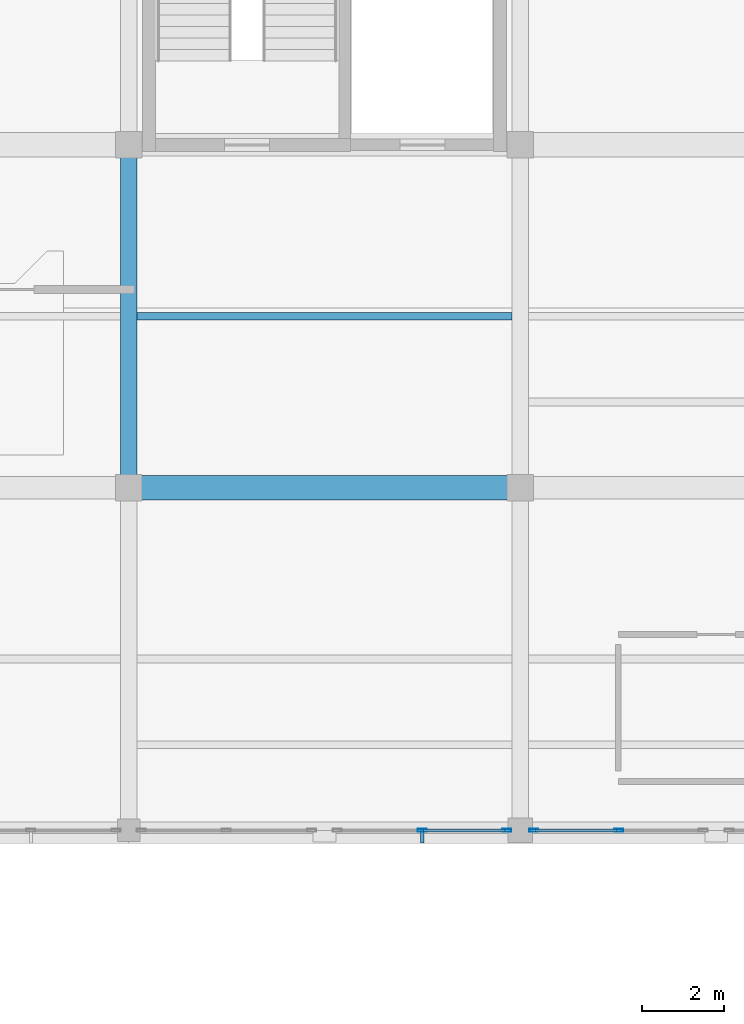
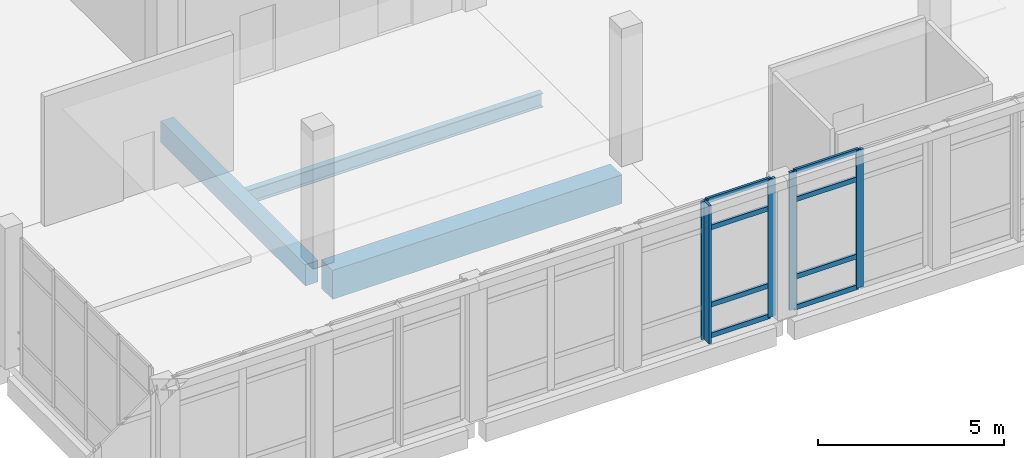
# One storey, part 32 of 88: 13 members, 3 beams, 2 elements without a shape of their own.
"""IFC4 building model written with IfcOpenShell, lengths in metres."""

from ifc_helpers import new_model, si_unit, direction, frame, origin, origin_2d, place, context, subcontext, project, spatial, rectangle, hollow_rectangle, i_section, extrude, material, layer, layer_set, material_profile, profile_set, type_object, element, aggregate, save


model = new_model("IFC4")

# Units and contexts
model_context = context("Model", 3, precision=1e-05, world=origin(), true_north=direction((0.0, 1.0)))
body_context = subcontext(model_context, "Body", "Model", "MODEL_VIEW")
ifc_project = project(units=[si_unit("LENGTHUNIT", "METRE"), si_unit("AREAUNIT", "SQUARE_METRE"), si_unit("VOLUMEUNIT", "CUBIC_METRE"), si_unit("PLANEANGLEUNIT", "RADIAN"), si_unit("MASSUNIT", "GRAM", prefix="KILO")], contexts=[model_context])

# Site, building, storey
site_placement = place(None, origin())
site = spatial("IfcSite", under=ifc_project, at=site_placement, CompositionType="ELEMENT")
building_placement = place(site_placement, origin())
building = spatial("IfcBuilding", under=site, at=building_placement, Name="Lornevale Opera House", CompositionType="ELEMENT")
storey_placement = place(building_placement, frame((0.0, 0.0, 10.199951171875)))
storey = spatial("IfcBuildingStorey", under=building, at=storey_placement, Name="L03", CompositionType="ELEMENT", Elevation=10.199951171875)

# Beams
ifc_material_1 = material(Name="Concrete 35 MPa (CSA A23.1 N)", Category="concrete")
ifc_material_profile_1 = material_profile(ifc_material_1, rectangle(XDim=0.39990234375, YDim=0.699951171875, at=origin_2d()), Name="RC400x700")
ifc_profile_set_1 = profile_set([ifc_material_profile_1], Name="Concrete 35 MPa (CSA A23.1 N)")
beam_type_1 = type_object("IfcBeamType", Name="Concrete Floor Beam 400x700", PredefinedType="USERDEFINED", material=ifc_profile_set_1)
beam_1_placement = place(storey_placement, frame((105.60009765625, 25.5, -0.6298828125), z_axis=(0.0, 1.0, 0.0), x_axis=(-1.0, 0.0, 0.0)))
element("IfcBeam", 1, at=beam_1_placement, inside=storey, type_object=beam_type_1, Name="Concrete Floor Beam 400x700 2312", ObjectType="GIRDER", PredefinedType="USERDEFINED", context=body_context, shape_type="SweptSolid", body=[
    extrude(rectangle(XDim=0.39990234375, YDim=0.699951171875, at=origin_2d()), origin(), (0.0, 0.0, 1.0), 7.800048828125),
])
ifc_material_profile_2 = material_profile(ifc_material_1, rectangle(XDim=0.60009765625, YDim=0.949951171875, at=origin_2d()), Name="RC600x950")
ifc_profile_set_2 = profile_set([ifc_material_profile_2], Name="Concrete 35 MPa (CSA A23.1 N)")
beam_type_2 = type_object("IfcBeamType", Name="Concrete Primary Girder 600x950", PredefinedType="USERDEFINED", material=ifc_profile_set_2)
beam_2_placement = place(storey_placement, frame((105.89990234375, 25.199951171875, -0.7548828125), z_axis=(1.0, 0.0, 0.0), x_axis=(0.0, 1.0, 0.0)))
element("IfcBeam", 2, at=beam_2_placement, inside=storey, type_object=beam_type_2, Name="Concrete Primary Girder 600x950 2112", ObjectType="GIRDER", PredefinedType="USERDEFINED", context=body_context, shape_type="SweptSolid", body=[
    extrude(rectangle(XDim=0.60009765625, YDim=0.949951171875, at=origin_2d()), origin(), (0.0, 0.0, 1.0), 9.0),
])

# Curtain wall, members
ifc_material_2 = material(Name="Anodized Oxide-Green Aluminium Framing", Category="aluminium")
ifc_layer = layer(ifc_material_2, 0.219970703125)
ifc_layer_set = layer_set([ifc_layer], Name="Anodized Oxide-Green Aluminium Framing")
curtain_wall_type = type_object("IfcCurtainWallType", Name="Winter-Garden Curtain Wall M1900", PredefinedType="NOTDEFINED", material=ifc_layer_set)
curtain_wall_1_placement = place(storey_placement, origin())
curtain_wall_1 = element("IfcCurtainWall", 3, at=curtain_wall_1_placement, inside=storey, type_object=curtain_wall_type, Name="Winter-Garden Curtain Wall M1900 CW-141", PredefinedType="NOTDEFINED")
ifc_material_profile_3 = material_profile(ifc_material_2, hollow_rectangle(XDim=0.074951171875, YDim=0.219970703125, WallThickness=0.0048828125, at=origin_2d()), Name="ALU75x220x5")
ifc_profile_set_3 = profile_set([ifc_material_profile_3], Name="Anodized Oxide-Green Aluminium Framing")
member_type_1 = type_object("IfcMemberType", Name="Curtain Wall Mullion 75x220", PredefinedType="MULLION", material=ifc_profile_set_3)
member_1_placement = place(storey_placement, frame((114.866455078125, 16.800048828125, 0.0), z_axis=(0.0, 0.0, 1.0), x_axis=(0.0, -1.0, 0.0)))
member_1 = element("IfcMember", 4, at=member_1_placement, type_object=member_type_1, Name="Curtain Wall Mullion 75x220 CW2949", PredefinedType="MULLION", context=body_context, shape_type="SweptSolid", body=[
    extrude(hollow_rectangle(XDim=0.074951171875, YDim=0.219970703125, WallThickness=0.0048828125, at=origin_2d()), origin(), (0.0, 0.0, 1.0), 4.5400390625),
])
member_2_placement = place(storey_placement, frame((112.7919921875, 16.800048828125, 0.0), z_axis=(0.0, 0.0, 1.0), x_axis=(0.0, -1.0, 0.0)))
member_2 = element("IfcMember", 5, at=member_2_placement, type_object=member_type_1, Name="Curtain Wall Mullion 75x220 CW2950", PredefinedType="MULLION", context=body_context, shape_type="SweptSolid", body=[
    extrude(hollow_rectangle(XDim=0.074951171875, YDim=0.219970703125, WallThickness=0.0048828125, at=origin_2d()), origin(), (0.0, 0.0, 1.0), 4.5400390625),
])

curtain_wall_2_placement = place(storey_placement, origin())
curtain_wall_2 = element("IfcCurtainWall", 6, at=curtain_wall_2_placement, inside=storey, type_object=curtain_wall_type, Name="Winter-Garden Curtain Wall M1900 CW-144", PredefinedType="NOTDEFINED")
member_3_placement = place(storey_placement, frame((117.60791015625, 16.800048828125, 0.0), z_axis=(0.0, 0.0, 1.0), x_axis=(0.0, -1.0, 0.0)))
member_3 = element("IfcMember", 7, at=member_3_placement, type_object=member_type_1, Name="Curtain Wall Mullion 75x220 CW3001", PredefinedType="MULLION", context=body_context, shape_type="SweptSolid", body=[
    extrude(hollow_rectangle(XDim=0.074951171875, YDim=0.219970703125, WallThickness=0.0048828125, at=origin_2d()), origin(), (0.0, 0.0, 1.0), 4.5400390625),
])
member_4_placement = place(storey_placement, frame((115.533447265625, 16.800048828125, 0.0), z_axis=(0.0, 0.0, 1.0), x_axis=(0.0, -1.0, 0.0)))
member_4 = element("IfcMember", 8, at=member_4_placement, type_object=member_type_1, Name="Curtain Wall Mullion 75x220 CW3002", PredefinedType="MULLION", context=body_context, shape_type="SweptSolid", body=[
    extrude(hollow_rectangle(XDim=0.074951171875, YDim=0.219970703125, WallThickness=0.0048828125, at=origin_2d()), origin(), (0.0, 0.0, 1.0), 4.5400390625),
])

# Member
ifc_material_profile_4 = material_profile(ifc_material_2, hollow_rectangle(XDim=0.074951171875, YDim=0.159912109375, WallThickness=0.0048828125, at=origin_2d()), Name="ALU75x160x5")
ifc_profile_set_4 = profile_set([ifc_material_profile_4], Name="Anodized Oxide-Green Aluminium Framing")
member_type_2 = type_object("IfcMemberType", Name="Curtain Wall Transom 75x160", PredefinedType="USERDEFINED", material=ifc_profile_set_4)
member_5_placement = place(storey_placement, frame((114.8291015625, 16.800048828125, 0.03759765625), z_axis=(-1.0, 0.0, 0.0), x_axis=(0.0, -1.0, 0.0)))
member_5 = element("IfcMember", 9, at=member_5_placement, type_object=member_type_2, Name="Curtain Wall Transom 75x160 CW2952", ObjectType="TRANSOM", PredefinedType="USERDEFINED", context=body_context, shape_type="SweptSolid", body=[
    extrude(hollow_rectangle(XDim=0.074951171875, YDim=0.159912109375, WallThickness=0.0048828125, at=origin_2d()), origin(), (0.0, 0.0, 1.0), 1.99951171875),
])

member_6_placement = place(storey_placement, frame((114.8291015625, 16.800048828125, 1.050048828125), z_axis=(-1.0, 0.0, 0.0), x_axis=(0.0, -1.0, 0.0)))
member_6 = element("IfcMember", 10, at=member_6_placement, type_object=member_type_2, Name="Curtain Wall Transom 75x160 CW2953", ObjectType="TRANSOM", PredefinedType="USERDEFINED", context=body_context, shape_type="SweptSolid", body=[
    extrude(hollow_rectangle(XDim=0.074951171875, YDim=0.159912109375, WallThickness=0.0048828125, at=origin_2d()), origin(), (0.0, 0.0, 1.0), 1.99951171875),
])

member_7_placement = place(storey_placement, frame((114.8291015625, 16.800048828125, 3.590087890625), z_axis=(-1.0, 0.0, 0.0), x_axis=(0.0, -1.0, 0.0)))
member_7 = element("IfcMember", 11, at=member_7_placement, type_object=member_type_2, Name="Curtain Wall Transom 75x160 CW2954", ObjectType="TRANSOM", PredefinedType="USERDEFINED", context=body_context, shape_type="SweptSolid", body=[
    extrude(hollow_rectangle(XDim=0.074951171875, YDim=0.159912109375, WallThickness=0.0048828125, at=origin_2d()), origin(), (0.0, 0.0, 1.0), 1.99951171875),
])

member_8_placement = place(storey_placement, frame((114.8291015625, 16.800048828125, 4.50244140625), z_axis=(-1.0, 0.0, 0.0), x_axis=(0.0, -1.0, 0.0)))
member_8 = element("IfcMember", 12, at=member_8_placement, type_object=member_type_2, Name="Curtain Wall Transom 75x160 CW2955", ObjectType="TRANSOM", PredefinedType="USERDEFINED", context=body_context, shape_type="SweptSolid", body=[
    extrude(hollow_rectangle(XDim=0.074951171875, YDim=0.159912109375, WallThickness=0.0048828125, at=origin_2d()), origin(), (0.0, 0.0, 1.0), 1.99951171875),
])

member_9_placement = place(storey_placement, frame((117.570556640625, 16.800048828125, 0.03759765625), z_axis=(-1.0, 0.0, 0.0), x_axis=(0.0, -1.0, 0.0)))
member_9 = element("IfcMember", 13, at=member_9_placement, type_object=member_type_2, Name="Curtain Wall Transom 75x160 CW3010", ObjectType="TRANSOM", PredefinedType="USERDEFINED", context=body_context, shape_type="SweptSolid", body=[
    extrude(hollow_rectangle(XDim=0.074951171875, YDim=0.159912109375, WallThickness=0.0048828125, at=origin_2d()), origin(), (0.0, 0.0, 1.0), 1.99951171875),
])

member_10_placement = place(storey_placement, frame((117.570556640625, 16.800048828125, 1.050048828125), z_axis=(-1.0, 0.0, 0.0), x_axis=(0.0, -1.0, 0.0)))
member_10 = element("IfcMember", 14, at=member_10_placement, type_object=member_type_2, Name="Curtain Wall Transom 75x160 CW3011", ObjectType="TRANSOM", PredefinedType="USERDEFINED", context=body_context, shape_type="SweptSolid", body=[
    extrude(hollow_rectangle(XDim=0.074951171875, YDim=0.159912109375, WallThickness=0.0048828125, at=origin_2d()), origin(), (0.0, 0.0, 1.0), 1.99951171875),
])

member_11_placement = place(storey_placement, frame((117.570556640625, 16.800048828125, 3.590087890625), z_axis=(-1.0, 0.0, 0.0), x_axis=(0.0, -1.0, 0.0)))
member_11 = element("IfcMember", 15, at=member_11_placement, type_object=member_type_2, Name="Curtain Wall Transom 75x160 CW3012", ObjectType="TRANSOM", PredefinedType="USERDEFINED", context=body_context, shape_type="SweptSolid", body=[
    extrude(hollow_rectangle(XDim=0.074951171875, YDim=0.159912109375, WallThickness=0.0048828125, at=origin_2d()), origin(), (0.0, 0.0, 1.0), 1.99951171875),
])

member_12_placement = place(storey_placement, frame((117.570556640625, 16.800048828125, 4.50244140625), z_axis=(-1.0, 0.0, 0.0), x_axis=(0.0, -1.0, 0.0)))
member_12 = element("IfcMember", 16, at=member_12_placement, type_object=member_type_2, Name="Curtain Wall Transom 75x160 CW3013", ObjectType="TRANSOM", PredefinedType="USERDEFINED", context=body_context, shape_type="SweptSolid", body=[
    extrude(hollow_rectangle(XDim=0.074951171875, YDim=0.159912109375, WallThickness=0.0048828125, at=origin_2d()), origin(), (0.0, 0.0, 1.0), 1.99951171875),
])

aggregate(curtain_wall_2, [member_3, member_4, member_9, member_10, member_11, member_12])

ifc_material_3 = material(Name="Architectural Bronze Solar Louvre Alloy", Category="metal")
ifc_material_profile_5 = material_profile(ifc_material_3, rectangle(XDim=0.080078125, YDim=0.360107421875, at=origin_2d()), Name="FIN80x360")
ifc_profile_set_5 = profile_set([ifc_material_profile_5], Name="Architectural Bronze Solar Louvre Alloy")
member_type_3 = type_object("IfcMemberType", Name="Solar Shading Fin 80x360", PredefinedType="USERDEFINED", material=ifc_profile_set_5)
member_13_placement = place(storey_placement, frame((112.7919921875, 16.674072265625, 0.0), z_axis=(0.0, 0.0, 1.0), x_axis=(-1.0, 0.0, 0.0)))
member_13 = element("IfcMember", 17, at=member_13_placement, type_object=member_type_3, Name="Solar Shading Fin 80x360 FIN0059", ObjectType="SOLAR FIN", PredefinedType="USERDEFINED", context=body_context, shape_type="SweptSolid", body=[
    extrude(rectangle(XDim=0.080078125, YDim=0.360107421875, at=origin_2d()), origin(), (0.0, 0.0, 1.0), 4.5400390625),
])

aggregate(curtain_wall_1, [member_1, member_2, member_5, member_6, member_7, member_8, member_13])

# Beam
ifc_material_4 = material(Name="Structural Steel CSA G40.21 Grade 350W (350 MPa)", Category="steel")
ifc_material_profile_6 = material_profile(ifc_material_4, i_section(OverallWidth=0.19189453125, OverallDepth=0.462890625, WebThickness=0.010498046875, FlangeThickness=0.017578125, at=origin_2d()), Name="W460x89")
ifc_profile_set_6 = profile_set([ifc_material_profile_6], Name="Structural Steel CSA G40.21 Grade 350W (350 MPa)")
beam_type_3 = type_object("IfcBeamType", Name="Steel Floor Joist W460x89", PredefinedType="JOIST", material=ifc_profile_set_6)
beam_3_placement = place(storey_placement, frame((105.800048828125, 29.39990234375, -0.5263671875), z_axis=(1.0, 0.0, 0.0), x_axis=(0.0, 1.0, 0.0)))
element("IfcBeam", 18, at=beam_3_placement, inside=storey, type_object=beam_type_3, Name="Steel Floor Joist W460x89 2424", PredefinedType="JOIST", context=body_context, shape_type="SweptSolid", body=[
    extrude(i_section(OverallWidth=0.19189453125, OverallDepth=0.462890625, WebThickness=0.010498046875, FlangeThickness=0.017578125, at=origin_2d()), origin(), (0.0, 0.0, 1.0), 9.199951171875),
])

save(model, "model.ifc")
